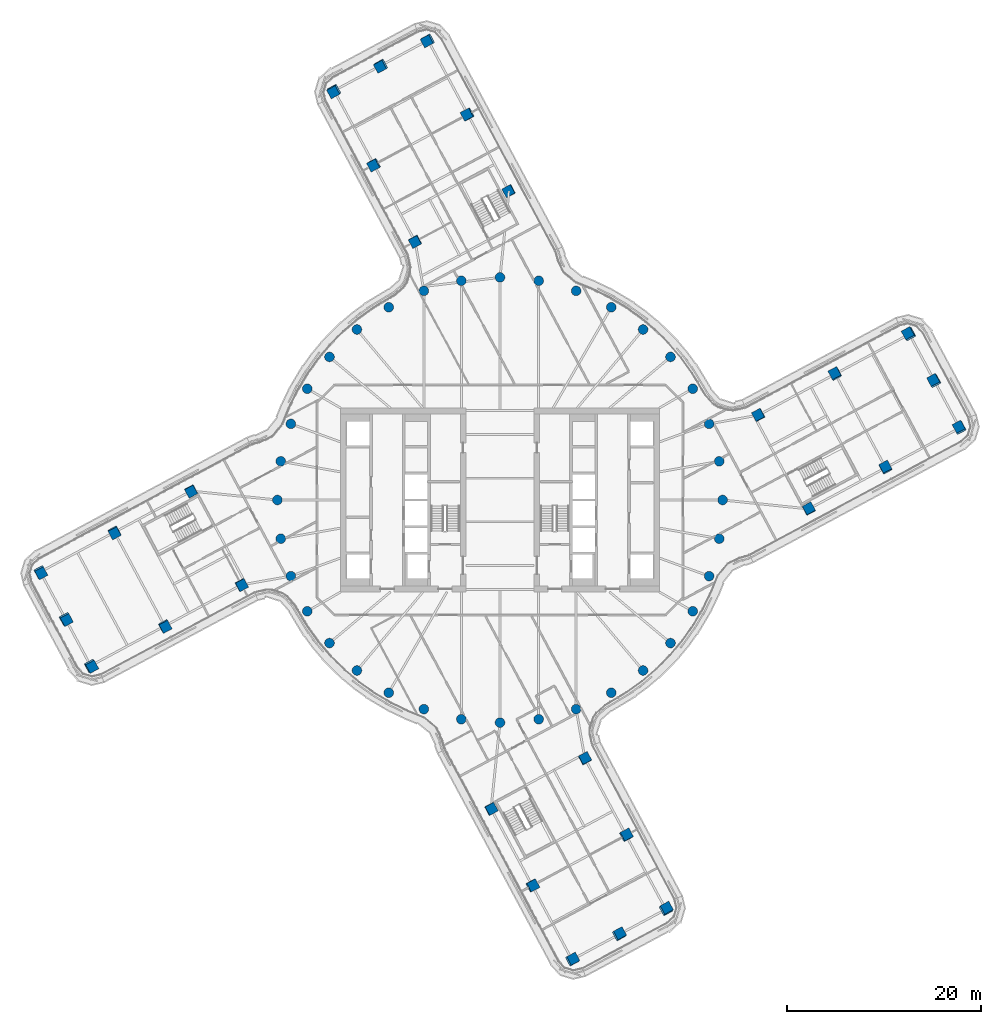
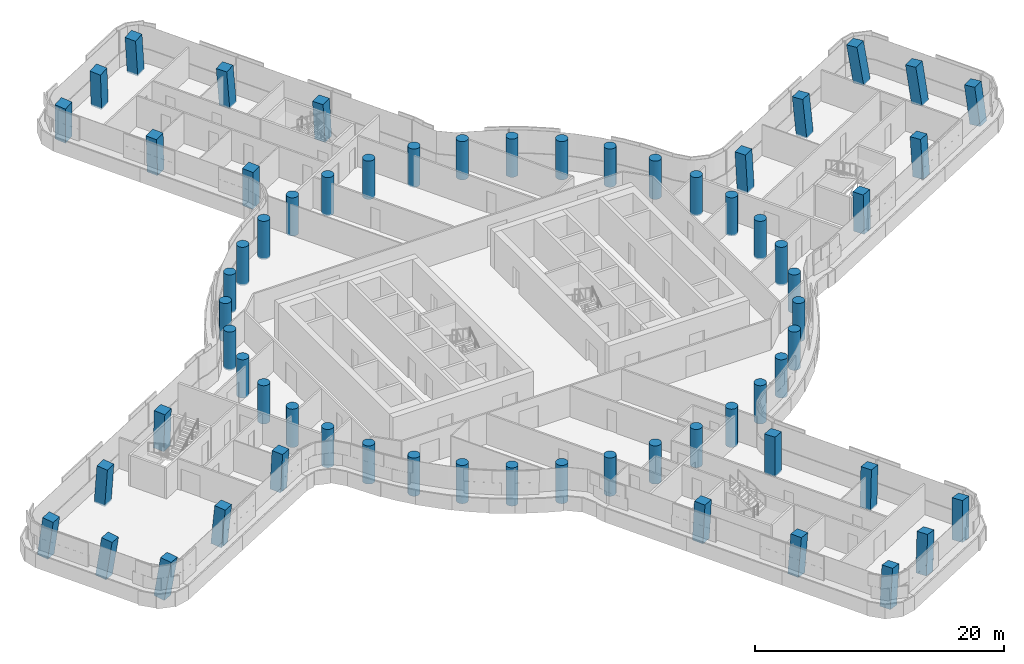
# One storey, part 1 of 33: 64 columns.
"""IFC4 building model written with IfcOpenShell, lengths in metres."""

from ifc_helpers import new_model, si_unit, direction, frame, origin, origin_2d, place, context, subcontext, project, spatial, rectangle, circle, extrude, material, material_profile, profile_set, type_object, element, save


model = new_model("IFC4")

# Units and contexts
model_context = context("Model", 3, precision=1e-05, world=origin(), true_north=direction((0.0, 1.0)))
body_context = subcontext(model_context, "Body", "Model", "MODEL_VIEW")
ifc_project = project(units=[si_unit("LENGTHUNIT", "METRE"), si_unit("AREAUNIT", "SQUARE_METRE"), si_unit("VOLUMEUNIT", "CUBIC_METRE"), si_unit("PLANEANGLEUNIT", "RADIAN"), si_unit("MASSUNIT", "GRAM", prefix="KILO")], contexts=[model_context])

# Site, building, storey
site_placement = place(None, origin())
site = spatial("IfcSite", under=ifc_project, at=site_placement, CompositionType="ELEMENT")
building_placement = place(site_placement, origin())
building = spatial("IfcBuilding", under=site, at=building_placement, Name="Tamarind Cross Interchange Tower", CompositionType="ELEMENT")
storey_placement = place(building_placement, frame((0.0, 0.0, 136.75)))
storey = spatial("IfcBuildingStorey", under=building, at=storey_placement, Name="L33", CompositionType="ELEMENT", Elevation=136.75)

# Columns
ifc_material = material(Name="Concrete C60", Category="concrete")
ifc_material_profile_1 = material_profile(ifc_material, rectangle(XDim=1.0, YDim=1.0, at=origin_2d()), Name="RC 1000x1000")
ifc_profile_set_1 = profile_set([ifc_material_profile_1], Name="Concrete C60")
column_type_1 = type_object("IfcColumnType", Name="Column RC 1000x1000 Concrete C60", PredefinedType="COLUMN", material=ifc_profile_set_1)
for number, where, z_axis, x_axis, name in (
    (1, (34.645263671875, 13.0244140625, -0.138427734375), (-0.063673517404, 0.060687807108, 0.996123824256), (0.470137804382, -0.878626555598, 0.083581222101), "Column L33-036"),
    (2, (39.844970703125, 3.3310546875, -0.138427734375), (-0.016940645071, 0.086325892507, 0.996122911506), (-0.881385193343, -0.471688402826, 0.025888058923), "Column L33-037"),
):
    element("IfcColumn", number, at=place(storey_placement, frame(where, z_axis=z_axis, x_axis=x_axis)), inside=storey, type_object=column_type_1, Name=name, PredefinedType="COLUMN", context=body_context, shape_type="SweptSolid", body=[
        extrude(rectangle(XDim=1.0, YDim=1.0, at=origin_2d()), origin(), (0.0, 0.0, 1.0), 3.761474609375),
    ])
for number, where, z_axis, x_axis, name in (
    (3, (26.71435546875, 8.770263671875, -0.138671875), (-0.042819109293, 0.022450748793, 0.998830560084), (0.472897878952, -0.880206235407, 0.040057199529), "Column L33-038"),
    (4, (31.9140625, -0.92333984375, -0.138671875), (0.004034619323, 0.048220208365, 0.998828580564), (-0.881042059675, -0.472302905563, 0.026360092561), "Column L33-039"),
):
    element("IfcColumn", number, at=place(storey_placement, frame(where, z_axis=z_axis, x_axis=x_axis)), inside=storey, type_object=column_type_1, Name=name, PredefinedType="COLUMN", context=body_context, shape_type="SweptSolid", body=[
        extrude(rectangle(XDim=1.0, YDim=1.0, at=origin_2d()), origin(), (0.0, 0.0, 1.0), 3.751708984375),
    ])
column_1_placement = place(storey_placement, frame((47.499755859375, 7.439453125, -0.122802734375), z_axis=(-0.077758742271, 0.099845603066, 0.991959895131), x_axis=(0.467614168467, -0.875087150675, 0.124737597265)))
element("IfcColumn", 5, at=column_1_placement, inside=storey, type_object=column_type_1, Name="Column L33-040", PredefinedType="COLUMN", context=body_context, shape_type="SweptSolid", body=[
    extrude(rectangle(XDim=1.0, YDim=1.0, at=origin_2d()), origin(), (0.0, 0.0, 1.0), 3.75830078125),
])
column_2_placement = place(storey_placement, frame((44.8994140625, 12.2861328125, -0.122802734375), z_axis=(-0.100925837475, 0.086971461233, 0.9910852336), x_axis=(0.46638846191, -0.875796357578, 0.124348472654)))
element("IfcColumn", 6, at=column_2_placement, inside=storey, type_object=column_type_1, Name="Column L33-041", PredefinedType="COLUMN", context=body_context, shape_type="SweptSolid", body=[
    extrude(rectangle(XDim=1.0, YDim=1.0, at=origin_2d()), origin(), (0.0, 0.0, 1.0), 3.761474609375),
])
column_3_placement = place(storey_placement, frame((42.29931640625, 17.132568359375, -0.122802734375), z_axis=(-0.124036361621, 0.074136675912, 0.989504287146), x_axis=(0.465079402454, -0.876545530323, 0.123972104459)))
element("IfcColumn", 7, at=column_3_placement, inside=storey, type_object=column_type_1, Name="Column L33-042", PredefinedType="COLUMN", context=body_context, shape_type="SweptSolid", body=[
    extrude(rectangle(XDim=1.0, YDim=1.0, at=origin_2d()), origin(), (0.0, 0.0, 1.0), 3.767333984375),
])
for number, where, z_axis, x_axis, name in (
    (8, (-13.0244140625, 34.645263671875, -0.138427734375), (-0.060687807108, -0.063673517404, 0.996123824256), (0.878626555598, 0.470137804382, 0.083581222101), "Column L33-043"),
    (9, (-3.3310546875, 39.844970703125, -0.138427734375), (-0.086325892507, -0.016940645071, 0.996122911506), (0.471688402826, -0.881385193343, 0.025888058923), "Column L33-044"),
):
    element("IfcColumn", number, at=place(storey_placement, frame(where, z_axis=z_axis, x_axis=x_axis)), inside=storey, type_object=column_type_1, Name=name, PredefinedType="COLUMN", context=body_context, shape_type="SweptSolid", body=[
        extrude(rectangle(XDim=1.0, YDim=1.0, at=origin_2d()), origin(), (0.0, 0.0, 1.0), 3.761474609375),
    ])
for number, where, z_axis, x_axis, name in (
    (10, (-8.770263671875, 26.71435546875, -0.138671875), (-0.022450748793, -0.042819109293, 0.998830560084), (0.880206235407, 0.472897878952, 0.040057199529), "Column L33-045"),
    (11, (0.92333984375, 31.9140625, -0.138671875), (-0.048220208365, 0.004034619323, 0.998828580564), (0.472302905563, -0.881042059675, 0.026360092561), "Column L33-046"),
):
    element("IfcColumn", number, at=place(storey_placement, frame(where, z_axis=z_axis, x_axis=x_axis)), inside=storey, type_object=column_type_1, Name=name, PredefinedType="COLUMN", context=body_context, shape_type="SweptSolid", body=[
        extrude(rectangle(XDim=1.0, YDim=1.0, at=origin_2d()), origin(), (0.0, 0.0, 1.0), 3.751708984375),
    ])
column_4_placement = place(storey_placement, frame((-7.439453125, 47.499755859375, -0.122802734375), z_axis=(-0.099845603066, -0.077758742271, 0.991959895131), x_axis=(0.875087150675, 0.467614168467, 0.124737597265)))
element("IfcColumn", 12, at=column_4_placement, inside=storey, type_object=column_type_1, Name="Column L33-047", PredefinedType="COLUMN", context=body_context, shape_type="SweptSolid", body=[
    extrude(rectangle(XDim=1.0, YDim=1.0, at=origin_2d()), origin(), (0.0, 0.0, 1.0), 3.75830078125),
])
column_5_placement = place(storey_placement, frame((-12.2861328125, 44.8994140625, -0.122802734375), z_axis=(-0.086971461233, -0.100925837475, 0.9910852336), x_axis=(0.875796357578, 0.46638846191, 0.124348472654)))
element("IfcColumn", 13, at=column_5_placement, inside=storey, type_object=column_type_1, Name="Column L33-048", PredefinedType="COLUMN", context=body_context, shape_type="SweptSolid", body=[
    extrude(rectangle(XDim=1.0, YDim=1.0, at=origin_2d()), origin(), (0.0, 0.0, 1.0), 3.761474609375),
])
column_6_placement = place(storey_placement, frame((-17.132568359375, 42.29931640625, -0.122802734375), z_axis=(-0.074136675912, -0.124036361621, 0.989504287146), x_axis=(0.876545530323, 0.465079402454, 0.123972104459)))
element("IfcColumn", 14, at=column_6_placement, inside=storey, type_object=column_type_1, Name="Column L33-049", PredefinedType="COLUMN", context=body_context, shape_type="SweptSolid", body=[
    extrude(rectangle(XDim=1.0, YDim=1.0, at=origin_2d()), origin(), (0.0, 0.0, 1.0), 3.767333984375),
])
for number, where, z_axis, x_axis, name in (
    (15, (-34.645263671875, -13.0244140625, -0.138427734375), (0.063673517404, -0.060687807108, 0.996123824256), (-0.470137804382, 0.878626555598, 0.083581222101), "Column L33-050"),
    (16, (-39.844970703125, -3.3310546875, -0.138427734375), (0.016940645071, -0.086325892507, 0.996122911506), (0.881385193343, 0.471688402826, 0.025888058923), "Column L33-051"),
):
    element("IfcColumn", number, at=place(storey_placement, frame(where, z_axis=z_axis, x_axis=x_axis)), inside=storey, type_object=column_type_1, Name=name, PredefinedType="COLUMN", context=body_context, shape_type="SweptSolid", body=[
        extrude(rectangle(XDim=1.0, YDim=1.0, at=origin_2d()), origin(), (0.0, 0.0, 1.0), 3.761474609375),
    ])
for number, where, z_axis, x_axis, name in (
    (17, (-26.71435546875, -8.770263671875, -0.138671875), (0.042819109293, -0.022450748793, 0.998830560084), (-0.472897878952, 0.880206235407, 0.040057199529), "Column L33-052"),
    (18, (-31.9140625, 0.92333984375, -0.138671875), (-0.004034619323, -0.048220208365, 0.998828580564), (0.881042059675, 0.472302905563, 0.026360092561), "Column L33-053"),
):
    element("IfcColumn", number, at=place(storey_placement, frame(where, z_axis=z_axis, x_axis=x_axis)), inside=storey, type_object=column_type_1, Name=name, PredefinedType="COLUMN", context=body_context, shape_type="SweptSolid", body=[
        extrude(rectangle(XDim=1.0, YDim=1.0, at=origin_2d()), origin(), (0.0, 0.0, 1.0), 3.751708984375),
    ])
column_7_placement = place(storey_placement, frame((-47.499755859375, -7.439453125, -0.122802734375), z_axis=(0.077758742271, -0.099845603066, 0.991959895131), x_axis=(-0.467614168467, 0.875087150675, 0.124737597265)))
element("IfcColumn", 19, at=column_7_placement, inside=storey, type_object=column_type_1, Name="Column L33-054", PredefinedType="COLUMN", context=body_context, shape_type="SweptSolid", body=[
    extrude(rectangle(XDim=1.0, YDim=1.0, at=origin_2d()), origin(), (0.0, 0.0, 1.0), 3.75830078125),
])
column_8_placement = place(storey_placement, frame((-44.8994140625, -12.2861328125, -0.122802734375), z_axis=(0.100925837475, -0.086971461233, 0.9910852336), x_axis=(-0.46638846191, 0.875796357578, 0.124348472654)))
element("IfcColumn", 20, at=column_8_placement, inside=storey, type_object=column_type_1, Name="Column L33-055", PredefinedType="COLUMN", context=body_context, shape_type="SweptSolid", body=[
    extrude(rectangle(XDim=1.0, YDim=1.0, at=origin_2d()), origin(), (0.0, 0.0, 1.0), 3.761474609375),
])
column_9_placement = place(storey_placement, frame((-42.29931640625, -17.132568359375, -0.122802734375), z_axis=(0.124036361621, -0.074136675912, 0.989504287146), x_axis=(-0.465079402454, 0.876545530323, 0.123972104459)))
element("IfcColumn", 21, at=column_9_placement, inside=storey, type_object=column_type_1, Name="Column L33-056", PredefinedType="COLUMN", context=body_context, shape_type="SweptSolid", body=[
    extrude(rectangle(XDim=1.0, YDim=1.0, at=origin_2d()), origin(), (0.0, 0.0, 1.0), 3.767333984375),
])
for number, where, z_axis, x_axis, name in (
    (22, (13.0244140625, -34.645263671875, -0.138427734375), (0.060687807108, 0.063673517404, 0.996123824256), (-0.878626555598, -0.470137804382, 0.083581222101), "Column L33-057"),
    (23, (3.3310546875, -39.844970703125, -0.138427734375), (0.086325892507, 0.016940645071, 0.996122911506), (-0.471688402826, 0.881385193343, 0.025888058923), "Column L33-058"),
):
    element("IfcColumn", number, at=place(storey_placement, frame(where, z_axis=z_axis, x_axis=x_axis)), inside=storey, type_object=column_type_1, Name=name, PredefinedType="COLUMN", context=body_context, shape_type="SweptSolid", body=[
        extrude(rectangle(XDim=1.0, YDim=1.0, at=origin_2d()), origin(), (0.0, 0.0, 1.0), 3.761474609375),
    ])
for number, where, z_axis, x_axis, name in (
    (24, (8.770263671875, -26.71435546875, -0.138671875), (0.022450748793, 0.042819109293, 0.998830560084), (-0.880206235407, -0.472897878952, 0.040057199529), "Column L33-059"),
    (25, (-0.92333984375, -31.9140625, -0.138671875), (0.048220208365, -0.004034619323, 0.998828580564), (-0.472302905563, 0.881042059675, 0.026360092561), "Column L33-060"),
):
    element("IfcColumn", number, at=place(storey_placement, frame(where, z_axis=z_axis, x_axis=x_axis)), inside=storey, type_object=column_type_1, Name=name, PredefinedType="COLUMN", context=body_context, shape_type="SweptSolid", body=[
        extrude(rectangle(XDim=1.0, YDim=1.0, at=origin_2d()), origin(), (0.0, 0.0, 1.0), 3.751708984375),
    ])
column_10_placement = place(storey_placement, frame((7.439453125, -47.499755859375, -0.122802734375), z_axis=(0.099845603066, 0.077758742271, 0.991959895131), x_axis=(-0.875087150675, -0.467614168467, 0.124737597265)))
element("IfcColumn", 26, at=column_10_placement, inside=storey, type_object=column_type_1, Name="Column L33-061", PredefinedType="COLUMN", context=body_context, shape_type="SweptSolid", body=[
    extrude(rectangle(XDim=1.0, YDim=1.0, at=origin_2d()), origin(), (0.0, 0.0, 1.0), 3.75830078125),
])
column_11_placement = place(storey_placement, frame((12.2861328125, -44.8994140625, -0.122802734375), z_axis=(0.086971461233, 0.100925837475, 0.9910852336), x_axis=(-0.875796357578, -0.46638846191, 0.124348472654)))
element("IfcColumn", 27, at=column_11_placement, inside=storey, type_object=column_type_1, Name="Column L33-062", PredefinedType="COLUMN", context=body_context, shape_type="SweptSolid", body=[
    extrude(rectangle(XDim=1.0, YDim=1.0, at=origin_2d()), origin(), (0.0, 0.0, 1.0), 3.761474609375),
])
column_12_placement = place(storey_placement, frame((17.132568359375, -42.29931640625, -0.122802734375), z_axis=(0.074136675912, 0.124036361621, 0.989504287146), x_axis=(-0.876545530323, -0.465079402454, 0.123972104459)))
element("IfcColumn", 28, at=column_12_placement, inside=storey, type_object=column_type_1, Name="Column L33-063", PredefinedType="COLUMN", context=body_context, shape_type="SweptSolid", body=[
    extrude(rectangle(XDim=1.0, YDim=1.0, at=origin_2d()), origin(), (0.0, 0.0, 1.0), 3.767333984375),
])
ifc_material_profile_2 = material_profile(ifc_material, circle(Radius=0.5, at=origin_2d()), Name="RC D1000")
ifc_profile_set_2 = profile_set([ifc_material_profile_2], Name="Concrete C60")
column_type_2 = type_object("IfcColumnType", Name="Column RC D1000 Concrete C60", PredefinedType="COLUMN", material=ifc_profile_set_2)
for number, where, z_axis, x_axis, name in (
    (29, (23.0, 0.0, -0.139892578125), (0.0, 0.0, 1.0), (1.0, 0.0, 0.0), "Column L33-000"),
    (30, (22.650634765625, 3.993896484375, -0.139892578125), (0.0, 0.0, 1.0), (1.0, 0.0, 0.0), "Column L33-001"),
    (31, (21.613037109375, 7.866455078125, -0.139892578125), (0.0, 0.0, 1.0), (1.0, 0.0, 0.0), "Column L33-002"),
    (32, (19.918701171875, 11.5, -0.139892578125), (0.0, 0.0, 1.0), (1.0, 0.0, 0.0), "Column L33-003"),
    (33, (17.619140625, 14.7841796875, -0.139892578125), (0.0, 0.0, 1.0), (1.0, 0.0, 0.0), "Column L33-004"),
    (34, (14.7841796875, 17.619140625, -0.139892578125), (0.0, 0.0, 1.0), (1.0, 0.0, 0.0), "Column L33-005"),
    (35, (11.5, 19.918701171875, -0.139892578125), (0.0, 0.0, 1.0), (1.0, 0.0, 0.0), "Column L33-006"),
    (36, (7.866455078125, 21.613037109375, -0.139892578125), (0.0, 0.0, 1.0), (1.0, 0.0, 0.0), "Column L33-007"),
    (37, (3.993896484375, 22.650634765625, -0.139892578125), (0.0, 0.0, 1.0), (1.0, 0.0, 0.0), "Column L33-008"),
    (38, (0.0, 23.0, -0.139892578125), (0.0, 0.0, 1.0), (1.0, 0.0, 0.0), "Column L33-009"),
    (39, (-3.993896484375, 22.650634765625, -0.139892578125), (0.0, 0.0, 1.0), (1.0, 0.0, 0.0), "Column L33-010"),
    (40, (-7.866455078125, 21.613037109375, -0.139892578125), (0.0, 0.0, 1.0), (1.0, 0.0, 0.0), "Column L33-011"),
    (41, (-11.5, 19.918701171875, -0.139892578125), (0.0, 0.0, 1.0), (1.0, 0.0, 0.0), "Column L33-012"),
    (42, (-14.7841796875, 17.619140625, -0.139892578125), (0.0, 0.0, 1.0), (1.0, 0.0, 0.0), "Column L33-013"),
    (43, (-17.619140625, 14.7841796875, -0.139892578125), (0.0, 0.0, 1.0), (1.0, 0.0, 0.0), "Column L33-014"),
    (44, (-19.918701171875, 11.5, -0.139892578125), (0.0, 0.0, 1.0), (1.0, 0.0, 0.0), "Column L33-015"),
    (45, (-21.613037109375, 7.866455078125, -0.139892578125), (0.0, 0.0, 1.0), (1.0, 0.0, 0.0), "Column L33-016"),
    (46, (-22.650634765625, 3.993896484375, -0.139892578125), (0.0, 0.0, 1.0), (1.0, 0.0, 0.0), "Column L33-017"),
    (47, (-23.0, 0.0, -0.139892578125), (0.0, 0.0, 1.0), (1.0, 0.0, 0.0), "Column L33-018"),
    (48, (-22.650634765625, -3.993896484375, -0.139892578125), (0.0, 0.0, 1.0), (1.0, 0.0, 0.0), "Column L33-019"),
    (49, (-21.613037109375, -7.866455078125, -0.139892578125), (0.0, 0.0, 1.0), (1.0, 0.0, 0.0), "Column L33-020"),
    (50, (-19.918701171875, -11.5, -0.139892578125), (0.0, 0.0, 1.0), (1.0, 0.0, 0.0), "Column L33-021"),
    (51, (-17.619140625, -14.7841796875, -0.139892578125), (0.0, 0.0, 1.0), (1.0, 0.0, 0.0), "Column L33-022"),
    (52, (-14.7841796875, -17.619140625, -0.139892578125), (0.0, 0.0, 1.0), (1.0, 0.0, 0.0), "Column L33-023"),
    (53, (-11.5, -19.918701171875, -0.139892578125), (0.0, 0.0, 1.0), (1.0, 0.0, 0.0), "Column L33-024"),
    (54, (-7.866455078125, -21.613037109375, -0.139892578125), (0.0, 0.0, 1.0), (1.0, 0.0, 0.0), "Column L33-025"),
    (55, (-3.993896484375, -22.650634765625, -0.139892578125), (0.0, 0.0, 1.0), (1.0, 0.0, 0.0), "Column L33-026"),
    (56, (0.0, -23.0, -0.139892578125), (0.0, 0.0, 1.0), (1.0, 0.0, 0.0), "Column L33-027"),
    (57, (3.993896484375, -22.650634765625, -0.139892578125), (0.0, 0.0, 1.0), (1.0, 0.0, 0.0), "Column L33-028"),
    (58, (7.866455078125, -21.613037109375, -0.139892578125), (0.0, 0.0, 1.0), (1.0, 0.0, 0.0), "Column L33-029"),
    (59, (11.5, -19.918701171875, -0.139892578125), (0.0, 0.0, 1.0), (1.0, 0.0, 0.0), "Column L33-030"),
    (60, (14.7841796875, -17.619140625, -0.139892578125), (0.0, 0.0, 1.0), (1.0, 0.0, 0.0), "Column L33-031"),
    (61, (17.619140625, -14.7841796875, -0.139892578125), (0.0, 0.0, 1.0), (1.0, 0.0, 0.0), "Column L33-032"),
    (62, (19.918701171875, -11.5, -0.139892578125), (0.0, 0.0, 1.0), (1.0, 0.0, 0.0), "Column L33-033"),
    (63, (21.613037109375, -7.866455078125, -0.139892578125), (0.0, 0.0, 1.0), (1.0, 0.0, 0.0), "Column L33-034"),
    (64, (22.650634765625, -3.993896484375, -0.139892578125), (0.0, 0.0, 1.0), (1.0, 0.0, 0.0), "Column L33-035"),
):
    element("IfcColumn", number, at=place(storey_placement, frame(where, z_axis=z_axis, x_axis=x_axis)), inside=storey, type_object=column_type_2, Name=name, PredefinedType="COLUMN", context=body_context, shape_type="SweptSolid", body=[
        extrude(circle(Radius=0.5, at=origin_2d()), origin(), (0.0, 0.0, 1.0), 3.75),
    ])

save(model, "model.ifc")
